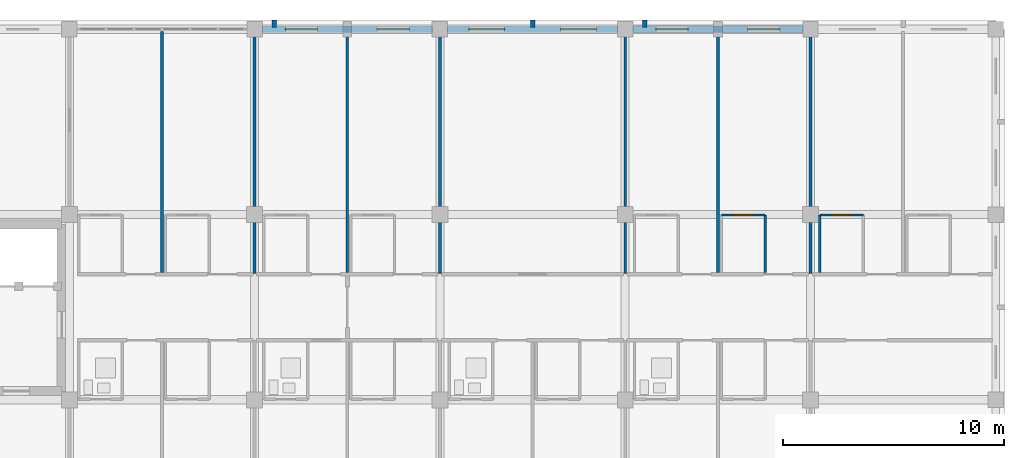
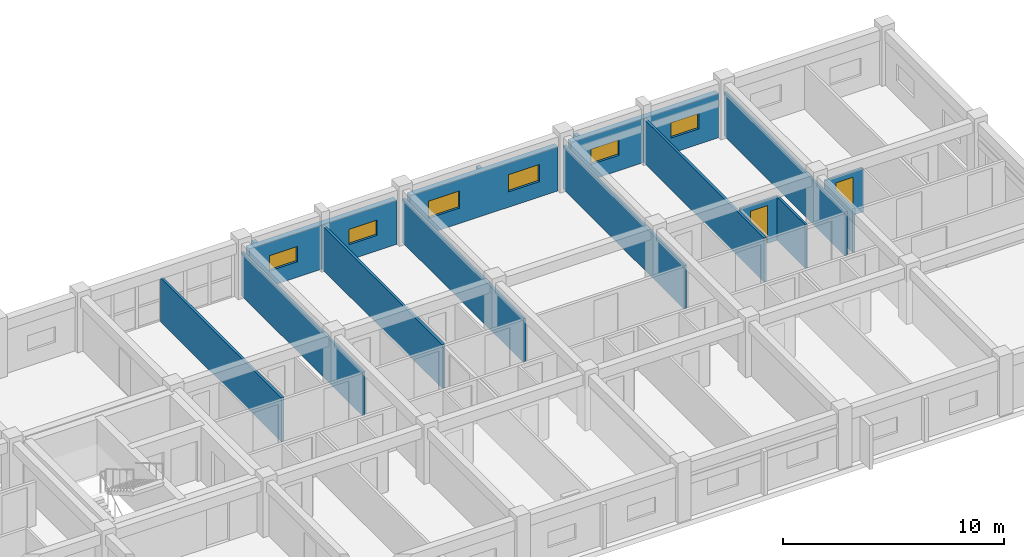
# One storey, part 130 of 148: 17 walls, 6 windows, 2 doors, 8 openings.
"""IFC4 building model written with IfcOpenShell, lengths in metres."""

from ifc_helpers import new_model, si_unit, direction, frame, frame_2d, origin, place, context, subcontext, project, spatial, rectangle, extrude, material, layer, layer_set, type_object, element, fill, save


model = new_model("IFC4")

# Units and contexts
model_context = context("Model", 3, precision=1e-05, world=origin(), true_north=direction((0.0, 1.0)))
body_context = subcontext(model_context, "Body", "Model", "MODEL_VIEW")
ifc_project = project(units=[si_unit("LENGTHUNIT", "METRE"), si_unit("AREAUNIT", "SQUARE_METRE"), si_unit("VOLUMEUNIT", "CUBIC_METRE"), si_unit("PLANEANGLEUNIT", "RADIAN"), si_unit("MASSUNIT", "GRAM", prefix="KILO")], contexts=[model_context])

# Site, building, storey
site_placement = place(None, origin())
site = spatial("IfcSite", under=ifc_project, at=site_placement, CompositionType="ELEMENT")
building_placement = place(site_placement, origin())
building = spatial("IfcBuilding", under=site, at=building_placement, Name="Trelvath General Hospital", CompositionType="ELEMENT")
storey_placement = place(building_placement, frame((0.0, 0.0, 12.89990234375)))
storey = spatial("IfcBuildingStorey", under=building, at=storey_placement, Name="L03", CompositionType="ELEMENT", Elevation=12.89990234375)

# Walls
ifc_material_1 = material(Name="Precast concrete C40/50", Category="concrete")
ifc_layer_1 = layer(ifc_material_1, 0.199951171875)
ifc_layer_set_1 = layer_set([ifc_layer_1], Name="Precast concrete C40/50")
wall_type_1 = type_object("IfcWallType", Name="BriseSoleilRib 200", PredefinedType="ELEMENTEDWALL", material=ifc_layer_set_1)
for number, where, z_axis, x_axis, name in (
    (1, (101.684814453125, 117.675048828125, 0.0), (0.0, 0.0, 1.0), (0.0, 1.0, 0.0), "Precast Concrete Brise-Soleil Rib Fin L03-283"),
    (2, (113.39990234375, 117.675048828125, 0.0), (0.0, 0.0, 1.0), (0.0, 1.0, 0.0), "Precast Concrete Brise-Soleil Rib Fin L03-287"),
    (3, (118.484619140625, 117.675048828125, 0.0), (0.0, 0.0, 1.0), (0.0, 1.0, 0.0), "Precast Concrete Brise-Soleil Rib Fin L03-291"),
):
    element("IfcWall", number, at=place(storey_placement, frame(where, z_axis=z_axis, x_axis=x_axis)), inside=storey, type_object=wall_type_1, Name=name, PredefinedType="ELEMENTEDWALL", context=body_context, shape_type="SweptSolid", body=[
        extrude(rectangle(XDim=0.33984375, YDim=0.199951171875, at=frame_2d((0.169921875, 0.0))), origin(), (0.0, 0.0, 1.0), 2.420166015625),
    ])
ifc_material_2 = material(Name="Moisture-resistant tile partition")
ifc_layer_2 = layer(ifc_material_2, 0.110107421875)
ifc_layer_set_2 = layer_set([ifc_layer_2], Name="Moisture-resistant tile partition")
wall_type_2 = type_object("IfcWallType", Name="EnSuiteWetWall 110", PredefinedType="PARTITIONING", material=ifc_layer_set_2)
wall_1_placement = place(storey_placement, frame((123.93994140625, 106.570068359375, 0.0), z_axis=(0.0, 0.0, 1.0), x_axis=(0.0, 1.0, 0.0)))
element("IfcWall", 4, at=wall_1_placement, inside=storey, type_object=wall_type_2, Name="En-Suite E Wall N L03-1385", PredefinedType="PARTITIONING", context=body_context, shape_type="SweptSolid", body=[
    extrude(rectangle(XDim=2.60986328125, YDim=0.110107421875, at=frame_2d((1.304931640625, 0.0))), origin(), (0.0, 0.0, 1.0), 2.420166015625),
])

# Wall, opening, door
wall_2_placement = place(storey_placement, frame((121.9599609375, 109.179931640625, 0.0), z_axis=(0.0, 0.0, 1.0), x_axis=(1.0, 0.0, 0.0)))
wall_2 = element("IfcWall", 5, at=wall_2_placement, inside=storey, type_object=wall_type_2, Name="En-Suite Bathroom N Partition L03-1386", PredefinedType="PARTITIONING", context=body_context, shape_type="SweptSolid", body=[
    extrude(rectangle(XDim=1.97998046875, YDim=0.110107421875, at=frame_2d((0.989990234375, 0.0))), origin(), (0.0, 0.0, 1.0), 2.420166015625),
])
opening_1_placement = place(wall_2_placement, frame((0.5400390625, 0.0, 0.0)))
opening_1 = element("IfcOpeningElement", 6, at=opening_1_placement, cuts=wall_2, Name="Opening D-3-0977", PredefinedType="OPENING", context=body_context, shape_type="SweptSolid", body=[
    extrude(rectangle(XDim=0.89990234375, YDim=2.10009765625, at=frame_2d((0.449951171875, 1.050048828125))), frame((0.0, 0.06494140625, 0.0), z_axis=(0.0, -1.0, 0.0), x_axis=(1.0, 0.0, 0.0)), (0.0, 0.0, 1.0), 0.130126953125),
])
ifc_material_3 = material(Name="Moisture-sealed timber leaf", Category="wood")
door_type = type_object("IfcDoorType", Name="Door EnSuite 900x2100", OperationType="NOTDEFINED", PredefinedType="DOOR", material=ifc_material_3)
door_1_placement = place(opening_1_placement, origin())
door_1 = element("IfcDoor", 7, at=door_1_placement, inside=storey, type_object=door_type, Name="En-Suite Bathroom N Door L03-977", OperationType="SINGLE_SWING_LEFT", OverallHeight=2.10009765625, OverallWidth=0.89990234375, PredefinedType="DOOR", context=body_context, shape_type="SweptSolid", body=[
    extrude(rectangle(XDim=0.89990234375, YDim=2.10009765625, at=frame_2d((0.449951171875, 1.050048828125))), frame((0.0, 0.02490234375, 0.0), z_axis=(0.0, -1.0, 0.0), x_axis=(1.0, 0.0, 0.0)), (0.0, 0.0, 1.0), 0.050048828125),
])
fill(opening_1, door_1)

# Wall
wall_3_placement = place(storey_placement, frame((126.419921875, 106.570068359375, 0.0), z_axis=(0.0, 0.0, 1.0), x_axis=(0.0, 1.0, 0.0)))
element("IfcWall", 8, at=wall_3_placement, inside=storey, type_object=wall_type_2, Name="En-Suite W Wall N L03-1392", PredefinedType="PARTITIONING", context=body_context, shape_type="SweptSolid", body=[
    extrude(rectangle(XDim=2.60986328125, YDim=0.110107421875, at=frame_2d((1.304931640625, 0.0))), origin(), (0.0, 0.0, 1.0), 2.420166015625),
])

# Wall, opening, door
wall_4_placement = place(storey_placement, frame((126.419921875, 109.179931640625, 0.0), z_axis=(0.0, 0.0, 1.0), x_axis=(1.0, 0.0, 0.0)))
wall_4 = element("IfcWall", 9, at=wall_4_placement, inside=storey, type_object=wall_type_2, Name="En-Suite Bathroom N Partition L03-1394", PredefinedType="PARTITIONING", context=body_context, shape_type="SweptSolid", body=[
    extrude(rectangle(XDim=1.97998046875, YDim=0.110107421875, at=frame_2d((0.989990234375, 0.0))), origin(), (0.0, 0.0, 1.0), 2.420166015625),
])
opening_2_placement = place(wall_4_placement, frame((0.5400390625, 0.0, 0.0)))
opening_2 = element("IfcOpeningElement", 10, at=opening_2_placement, cuts=wall_4, Name="Opening D-3-0981", PredefinedType="OPENING", context=body_context, shape_type="SweptSolid", body=[
    extrude(rectangle(XDim=0.89990234375, YDim=2.10009765625, at=frame_2d((0.449951171875, 1.050048828125))), frame((0.0, 0.06494140625, 0.0), z_axis=(0.0, -1.0, 0.0), x_axis=(1.0, 0.0, 0.0)), (0.0, 0.0, 1.0), 0.130126953125),
])
door_2_placement = place(opening_2_placement, origin())
door_2 = element("IfcDoor", 11, at=door_2_placement, inside=storey, type_object=door_type, Name="En-Suite Bathroom N Door L03-981", OperationType="SINGLE_SWING_LEFT", OverallHeight=2.10009765625, OverallWidth=0.89990234375, PredefinedType="DOOR", context=body_context, shape_type="SweptSolid", body=[
    extrude(rectangle(XDim=0.89990234375, YDim=2.10009765625, at=frame_2d((0.449951171875, 1.050048828125))), frame((0.0, 0.02490234375, 0.0), z_axis=(0.0, -1.0, 0.0), x_axis=(1.0, 0.0, 0.0)), (0.0, 0.0, 1.0), 0.050048828125),
])
fill(opening_2, door_2)

# Wall, openings, windows
ifc_material_4 = material(Name="Concrete C35/45", Category="concrete")
ifc_layer_3 = layer(ifc_material_4, 0.2900390625)
ifc_layer_set_3 = layer_set([ifc_layer_3], Name="Concrete C35/45")
wall_type_3 = type_object("IfcWallType", Name="ExtBushHammeredWall 290", PredefinedType="SOLIDWALL", material=ifc_layer_set_3)
wall_5_placement = place(storey_placement, frame((101.14501953125, 117.60009765625, 0.0), z_axis=(0.0, 0.0, 1.0), x_axis=(1.0, 0.0, 0.0)))
wall_5 = element("IfcWall", 12, at=wall_5_placement, inside=storey, type_object=wall_type_3, Name="Exterior Concrete Wall L03-401", PredefinedType="SOLIDWALL", context=body_context, shape_type="SweptSolid", body=[
    extrude(rectangle(XDim=7.7099609375, YDim=0.2900390625, at=frame_2d((3.85498046875, 0.0))), origin(), (0.0, 0.0, 1.0), 2.440185546875),
])
opening_3_placement = place(wall_5_placement, frame((1.043212890625, 0.0, 0.85009765625)))
opening_3 = element("IfcOpeningElement", 13, at=opening_3_placement, cuts=wall_5, Name="Opening WN-3-651", PredefinedType="OPENING", context=body_context, shape_type="SweptSolid", body=[
    extrude(rectangle(XDim=1.4599609375, YDim=0.85009765625, at=frame_2d((0.72998046875, 0.425048828125))), frame((0.0, 0.155029296875, 0.0), z_axis=(0.0, -1.0, 0.0), x_axis=(1.0, 0.0, 0.0)), (0.0, 0.0, 1.0), 0.31005859375),
])
opening_4_placement = place(wall_5_placement, frame((5.206787109375, 0.0, 0.85009765625)))
opening_4 = element("IfcOpeningElement", 14, at=opening_4_placement, cuts=wall_5, Name="Opening WN-3-652", PredefinedType="OPENING", context=body_context, shape_type="SweptSolid", body=[
    extrude(rectangle(XDim=1.4599609375, YDim=0.85009765625, at=frame_2d((0.72998046875, 0.425048828125))), frame((0.0, 0.155029296875, 0.0), z_axis=(0.0, -1.0, 0.0), x_axis=(1.0, 0.0, 0.0)), (0.0, 0.0, 1.0), 0.31005859375),
])
ifc_material_5 = material(Name="Low-E laminated glass", Category="glass")
window_type_1 = type_object("IfcWindowType", Name="Window ImagingClere 1460x850", PartitioningType="DOUBLE_PANEL_VERTICAL", PredefinedType="WINDOW", material=ifc_material_5)
window_1_placement = place(opening_3_placement, origin())
window_1 = element("IfcWindow", 15, at=window_1_placement, inside=storey, type_object=window_type_1, Name="Solar Reveal Window L03-651", OverallHeight=0.85009765625, OverallWidth=1.4599609375, PartitioningType="SINGLE_PANEL", PredefinedType="WINDOW", context=body_context, shape_type="SweptSolid", body=[
    extrude(rectangle(XDim=1.4599609375, YDim=0.85009765625, at=frame_2d((0.72998046875, 0.425048828125))), frame((0.0, 0.030029296875, 0.0), z_axis=(0.0, -1.0, 0.0), x_axis=(1.0, 0.0, 0.0)), (0.0, 0.0, 1.0), 0.06005859375),
])
fill(opening_3, window_1)
window_2_placement = place(opening_4_placement, origin())
window_2 = element("IfcWindow", 16, at=window_2_placement, inside=storey, type_object=window_type_1, Name="Solar Reveal Window L03-652", OverallHeight=0.85009765625, OverallWidth=1.4599609375, PartitioningType="SINGLE_PANEL", PredefinedType="WINDOW", context=body_context, shape_type="SweptSolid", body=[
    extrude(rectangle(XDim=1.4599609375, YDim=0.85009765625, at=frame_2d((0.72998046875, 0.425048828125))), frame((0.0, 0.030029296875, 0.0), z_axis=(0.0, -1.0, 0.0), x_axis=(1.0, 0.0, 0.0)), (0.0, 0.0, 1.0), 0.06005859375),
])
fill(opening_4, window_2)

wall_6_placement = place(storey_placement, frame((109.544921875, 117.60009765625, 0.0), z_axis=(0.0, 0.0, 1.0), x_axis=(1.0, 0.0, 0.0)))
wall_6 = element("IfcWall", 17, at=wall_6_placement, inside=storey, type_object=wall_type_3, Name="Exterior Concrete Wall L03-405", PredefinedType="SOLIDWALL", context=body_context, shape_type="SweptSolid", body=[
    extrude(rectangle(XDim=7.7099609375, YDim=0.2900390625, at=frame_2d((3.85498046875, 0.0))), origin(), (0.0, 0.0, 1.0), 2.440185546875),
])
opening_5_placement = place(wall_6_placement, frame((0.96337890625, 0.0, 0.85009765625)))
opening_5 = element("IfcOpeningElement", 18, at=opening_5_placement, cuts=wall_6, Name="Opening WN-3-659", PredefinedType="OPENING", context=body_context, shape_type="SweptSolid", body=[
    extrude(rectangle(XDim=1.6201171875, YDim=0.949951171875, at=frame_2d((0.81005859375, 0.47509765625))), frame((0.0, 0.155029296875, 0.0), z_axis=(0.0, -1.0, 0.0), x_axis=(1.0, 0.0, 0.0)), (0.0, 0.0, 1.0), 0.31005859375),
])
opening_6_placement = place(wall_6_placement, frame((5.126708984375, 0.0, 0.85009765625)))
opening_6 = element("IfcOpeningElement", 19, at=opening_6_placement, cuts=wall_6, Name="Opening WN-3-660", PredefinedType="OPENING", context=body_context, shape_type="SweptSolid", body=[
    extrude(rectangle(XDim=1.6201171875, YDim=0.949951171875, at=frame_2d((0.81005859375, 0.47509765625))), frame((0.0, 0.155029296875, 0.0), z_axis=(0.0, -1.0, 0.0), x_axis=(1.0, 0.0, 0.0)), (0.0, 0.0, 1.0), 0.31005859375),
])
ifc_material_6 = material(Name="Low-E laminated glass", Category="glass")
window_type_2 = type_object("IfcWindowType", Name="Window EmergencyClere 1620x950", PartitioningType="DOUBLE_PANEL_VERTICAL", PredefinedType="WINDOW", material=ifc_material_6)
window_3_placement = place(opening_5_placement, origin())
window_3 = element("IfcWindow", 20, at=window_3_placement, inside=storey, type_object=window_type_2, Name="Solar Reveal Window L03-659", OverallHeight=0.949951171875, OverallWidth=1.6201171875, PartitioningType="SINGLE_PANEL", PredefinedType="WINDOW", context=body_context, shape_type="SweptSolid", body=[
    extrude(rectangle(XDim=1.6201171875, YDim=0.949951171875, at=frame_2d((0.81005859375, 0.47509765625))), frame((0.0, 0.030029296875, 0.0), z_axis=(0.0, -1.0, 0.0), x_axis=(1.0, 0.0, 0.0)), (0.0, 0.0, 1.0), 0.06005859375),
])
fill(opening_5, window_3)
window_4_placement = place(opening_6_placement, origin())
window_4 = element("IfcWindow", 21, at=window_4_placement, inside=storey, type_object=window_type_2, Name="Solar Reveal Window L03-660", OverallHeight=0.949951171875, OverallWidth=1.6201171875, PartitioningType="SINGLE_PANEL", PredefinedType="WINDOW", context=body_context, shape_type="SweptSolid", body=[
    extrude(rectangle(XDim=1.6201171875, YDim=0.949951171875, at=frame_2d((0.81005859375, 0.47509765625))), frame((0.0, 0.030029296875, 0.0), z_axis=(0.0, -1.0, 0.0), x_axis=(1.0, 0.0, 0.0)), (0.0, 0.0, 1.0), 0.06005859375),
])
fill(opening_6, window_4)

wall_7_placement = place(storey_placement, frame((117.945068359375, 117.60009765625, 0.0), z_axis=(0.0, 0.0, 1.0), x_axis=(1.0, 0.0, 0.0)))
wall_7 = element("IfcWall", 22, at=wall_7_placement, inside=storey, type_object=wall_type_3, Name="Exterior Concrete Wall L03-409", PredefinedType="SOLIDWALL", context=body_context, shape_type="SweptSolid", body=[
    extrude(rectangle(XDim=7.7099609375, YDim=0.2900390625, at=frame_2d((3.85498046875, 0.0))), origin(), (0.0, 0.0, 1.0), 2.440185546875),
])
opening_7_placement = place(wall_7_placement, frame((1.043212890625, 0.0, 0.85009765625)))
opening_7 = element("IfcOpeningElement", 23, at=opening_7_placement, cuts=wall_7, Name="Opening WN-3-667", PredefinedType="OPENING", context=body_context, shape_type="SweptSolid", body=[
    extrude(rectangle(XDim=1.4599609375, YDim=0.85009765625, at=frame_2d((0.72998046875, 0.425048828125))), frame((0.0, 0.155029296875, 0.0), z_axis=(0.0, -1.0, 0.0), x_axis=(1.0, 0.0, 0.0)), (0.0, 0.0, 1.0), 0.31005859375),
])
opening_8_placement = place(wall_7_placement, frame((5.206787109375, 0.0, 0.85009765625)))
opening_8 = element("IfcOpeningElement", 24, at=opening_8_placement, cuts=wall_7, Name="Opening WN-3-668", PredefinedType="OPENING", context=body_context, shape_type="SweptSolid", body=[
    extrude(rectangle(XDim=1.4599609375, YDim=0.85009765625, at=frame_2d((0.72998046875, 0.425048828125))), frame((0.0, 0.155029296875, 0.0), z_axis=(0.0, -1.0, 0.0), x_axis=(1.0, 0.0, 0.0)), (0.0, 0.0, 1.0), 0.31005859375),
])
window_5_placement = place(opening_7_placement, origin())
window_5 = element("IfcWindow", 25, at=window_5_placement, inside=storey, type_object=window_type_1, Name="Solar Reveal Window L03-667", OverallHeight=0.85009765625, OverallWidth=1.4599609375, PartitioningType="SINGLE_PANEL", PredefinedType="WINDOW", context=body_context, shape_type="SweptSolid", body=[
    extrude(rectangle(XDim=1.4599609375, YDim=0.85009765625, at=frame_2d((0.72998046875, 0.425048828125))), frame((0.0, 0.030029296875, 0.0), z_axis=(0.0, -1.0, 0.0), x_axis=(1.0, 0.0, 0.0)), (0.0, 0.0, 1.0), 0.06005859375),
])
fill(opening_7, window_5)
window_6_placement = place(opening_8_placement, origin())
window_6 = element("IfcWindow", 26, at=window_6_placement, inside=storey, type_object=window_type_1, Name="Solar Reveal Window L03-668", OverallHeight=0.85009765625, OverallWidth=1.4599609375, PartitioningType="SINGLE_PANEL", PredefinedType="WINDOW", context=body_context, shape_type="SweptSolid", body=[
    extrude(rectangle(XDim=1.4599609375, YDim=0.85009765625, at=frame_2d((0.72998046875, 0.425048828125))), frame((0.0, 0.030029296875, 0.0), z_axis=(0.0, -1.0, 0.0), x_axis=(1.0, 0.0, 0.0)), (0.0, 0.0, 1.0), 0.06005859375),
])
fill(opening_8, window_6)

# Walls
ifc_material_7 = material(Name="Gypsum acoustic steel-stud partition", Category="steel")
ifc_layer_4 = layer(ifc_material_7, 0.1298828125)
ifc_layer_set_4 = layer_set([ifc_layer_4], Name="Gypsum acoustic steel-stud partition")
wall_type_4 = type_object("IfcWallType", Name="WardPartition 130", PredefinedType="PARTITIONING", material=ifc_layer_set_4)
wall_8_placement = place(storey_placement, frame((96.60009765625, 106.570068359375, 0.0), z_axis=(0.0, 0.0, 1.0), x_axis=(0.0, 1.0, 0.0)))
element("IfcWall", 27, at=wall_8_placement, inside=storey, type_object=wall_type_4, Name="Room Dividing Partition N L03-1331", PredefinedType="PARTITIONING", context=body_context, shape_type="SweptSolid", body=[
    extrude(rectangle(XDim=10.929931640625, YDim=0.1298828125, at=frame_2d((5.46484375, 0.0))), origin(), (0.0, 0.0, 1.0), 2.420166015625),
])
wall_9_placement = place(storey_placement, frame((100.800048828125, 106.52001953125, 0.0), z_axis=(0.0, 0.0, 1.0), x_axis=(0.0, 1.0, 0.0)))
element("IfcWall", 28, at=wall_9_placement, inside=storey, type_object=wall_type_4, Name="Inter-Bay Ward Partition N L03-1339", PredefinedType="PARTITIONING", context=body_context, shape_type="SweptSolid", body=[
    extrude(rectangle(XDim=10.93994140625, YDim=0.1298828125, at=frame_2d((5.469970703125, 0.0))), origin(), (0.0, 0.0, 1.0), 2.420166015625),
])
wall_10_placement = place(storey_placement, frame((105.0, 106.570068359375, 0.0), z_axis=(0.0, 0.0, 1.0), x_axis=(0.0, 1.0, 0.0)))
element("IfcWall", 29, at=wall_10_placement, inside=storey, type_object=wall_type_4, Name="Room Dividing Partition N L03-1350", PredefinedType="PARTITIONING", context=body_context, shape_type="SweptSolid", body=[
    extrude(rectangle(XDim=10.929931640625, YDim=0.1298828125, at=frame_2d((5.46484375, 0.0))), origin(), (0.0, 0.0, 1.0), 2.420166015625),
])
for number, where, z_axis, x_axis, name in (
    (30, (109.199951171875, 106.52001953125, 0.0), (0.0, 0.0, 1.0), (0.0, 1.0, 0.0), "Inter-Bay Ward Partition N L03-1359"),
    (31, (117.60009765625, 106.52001953125, 0.0), (0.0, 0.0, 1.0), (0.0, 1.0, 0.0), "Inter-Bay Ward Partition N L03-1370"),
):
    element("IfcWall", number, at=place(storey_placement, frame(where, z_axis=z_axis, x_axis=x_axis)), inside=storey, type_object=wall_type_4, Name=name, PredefinedType="PARTITIONING", context=body_context, shape_type="SweptSolid", body=[
        extrude(rectangle(XDim=10.93994140625, YDim=0.1298828125, at=frame_2d((5.469970703125, 0.0))), origin(), (0.0, 0.0, 1.0), 2.420166015625),
    ])
wall_11_placement = place(storey_placement, frame((121.800048828125, 106.570068359375, 0.0), z_axis=(0.0, 0.0, 1.0), x_axis=(0.0, 1.0, 0.0)))
element("IfcWall", 32, at=wall_11_placement, inside=storey, type_object=wall_type_4, Name="Room Dividing Partition N L03-1380", PredefinedType="PARTITIONING", context=body_context, shape_type="SweptSolid", body=[
    extrude(rectangle(XDim=10.929931640625, YDim=0.1298828125, at=frame_2d((5.46484375, 0.0))), origin(), (0.0, 0.0, 1.0), 2.420166015625),
])
wall_12_placement = place(storey_placement, frame((126.0, 106.52001953125, 0.0), z_axis=(0.0, 0.0, 1.0), x_axis=(0.0, 1.0, 0.0)))
element("IfcWall", 33, at=wall_12_placement, inside=storey, type_object=wall_type_4, Name="Inter-Bay Ward Partition N L03-1388", PredefinedType="PARTITIONING", context=body_context, shape_type="SweptSolid", body=[
    extrude(rectangle(XDim=10.93994140625, YDim=0.1298828125, at=frame_2d((5.469970703125, 0.0))), origin(), (0.0, 0.0, 1.0), 2.420166015625),
])

save(model, "model.ifc")
